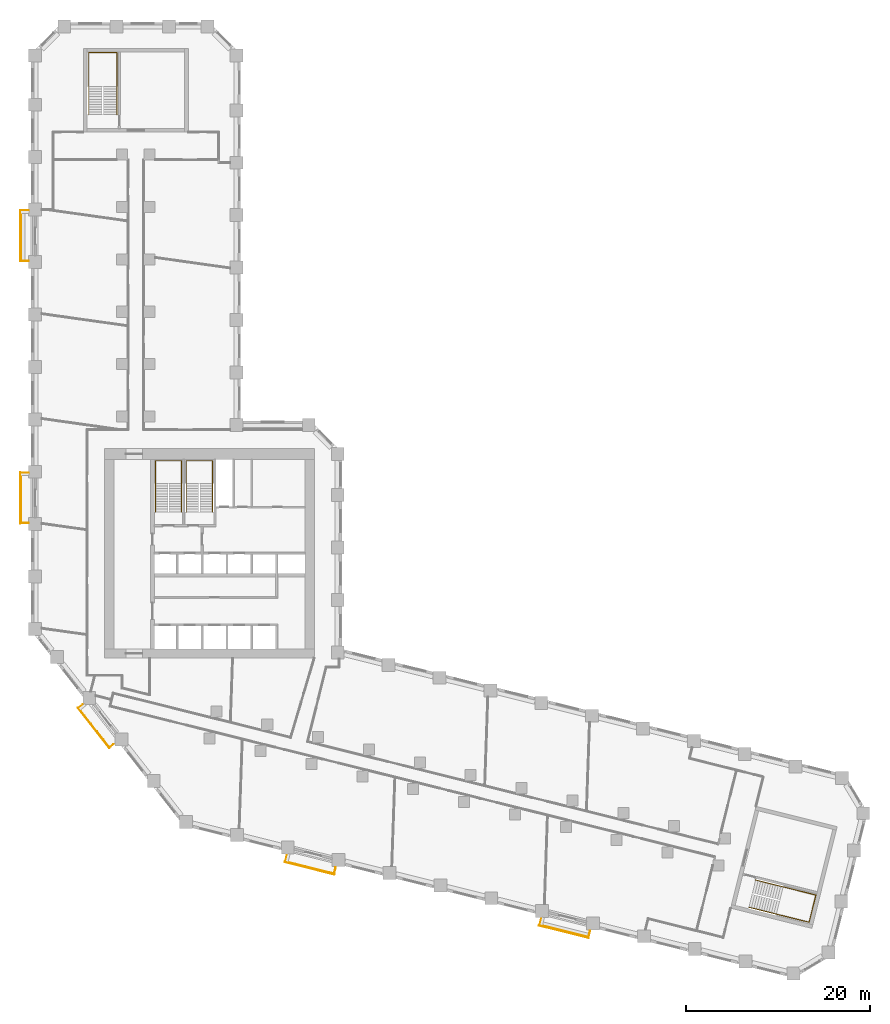
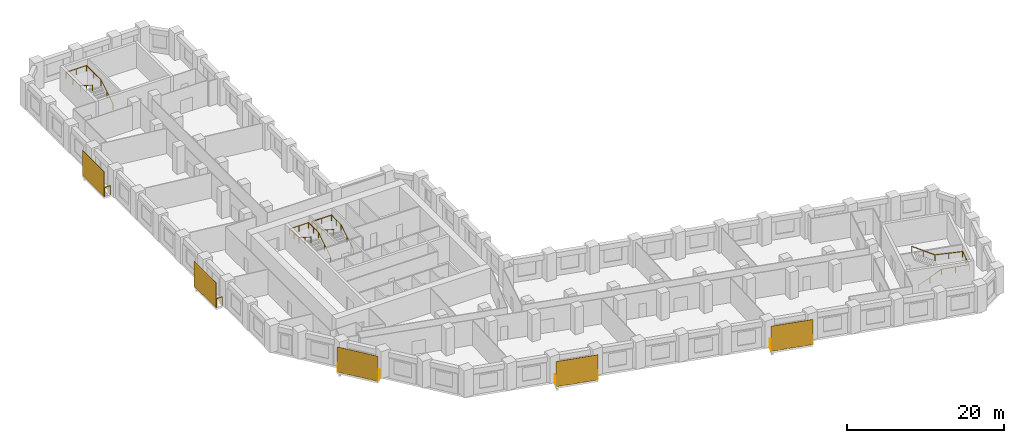
# One storey, part 11 of 11: 9 railings, 5 shading devices.
"""IFC4 building model written with IfcOpenShell, lengths in metres."""

from ifc_helpers import new_model, si_unit, direction, frame, origin, origin_2d, place, context, subcontext, project, spatial, rectangle, circle, extrude, material, layer, layer_set, type_object, element, save


model = new_model("IFC4")

# Units and contexts
model_context = context("Model", 3, precision=1e-05, world=origin(), true_north=direction((0.0, 1.0)))
body_context = subcontext(model_context, "Body", "Model", "MODEL_VIEW")
ifc_project = project(units=[si_unit("LENGTHUNIT", "METRE"), si_unit("AREAUNIT", "SQUARE_METRE"), si_unit("VOLUMEUNIT", "CUBIC_METRE"), si_unit("PLANEANGLEUNIT", "RADIAN"), si_unit("MASSUNIT", "GRAM", prefix="KILO")], contexts=[model_context])

# Site, building, storey
site_placement = place(None, origin())
site = spatial("IfcSite", under=ifc_project, at=site_placement, CompositionType="ELEMENT")
building_placement = place(site_placement, origin())
building = spatial("IfcBuilding", under=site, at=building_placement, Name="Meshkara Civic Tower", CompositionType="ELEMENT")
storey_placement = place(building_placement, frame((0.0, 0.0, 79.199951171875)))
storey = spatial("IfcBuildingStorey", under=building, at=storey_placement, Name="L17", CompositionType="ELEMENT", Elevation=79.199951171875)

# Railings
ifc_material_1 = material(Name="Steel S355", Category="steel")
railing_type_1 = type_object("IfcRailingType", Name="BALUSTRADE GUARD 1400", PredefinedType="BALUSTRADE", material=ifc_material_1)
for number, where, name in (
    (1, (-0.25, 62.735107421875, 0.0), "Balcony guard"),
    (2, (-0.25, 34.235107421875, 0.0), "Balcony guard"),
):
    element("IfcRailing", number, at=place(storey_placement, frame(where)), inside=storey, type_object=railing_type_1, Name=name, PredefinedType="BALUSTRADE", context=body_context, shape_type="SweptSolid", body=[
        extrude(circle(Radius=0.02392578125, at=origin_2d()), frame((0.0, 0.0, 1.3759765625), z_axis=(-1.0, 0.0, 0.0), x_axis=(0.0, -1.0, 0.0)), (0.0, 0.0, 1.0), 0.860107421875),
        extrude(circle(Radius=0.02392578125, at=origin_2d()), frame((-0.860107421875, 0.0, 1.3759765625), z_axis=(0.0, -1.0, 0.0), x_axis=(1.0, 0.0, 0.0)), (0.0, 0.0, 1.0), 5.460205078125),
        extrude(circle(Radius=0.02392578125, at=origin_2d()), frame((-0.860107421875, -5.460205078125, 1.3759765625), z_axis=(1.0, 0.0, 0.0), x_axis=(0.0, 1.0, 0.0)), (0.0, 0.0, 1.0), 0.860107421875),
        extrude(circle(Radius=0.02099609375, at=origin_2d()), origin(), (0.0, 0.0, 1.0), 1.351806640625),
        extrude(circle(Radius=0.02099609375, at=origin_2d()), frame((-0.860107421875, 0.0, 0.0)), (0.0, 0.0, 1.0), 1.351806640625),
        extrude(circle(Radius=0.02099609375, at=origin_2d()), frame((-0.860107421875, -1.092041015625, 0.0)), (0.0, 0.0, 1.0), 1.351806640625),
        extrude(circle(Radius=0.02099609375, at=origin_2d()), frame((-0.860107421875, -2.18408203125, 0.0)), (0.0, 0.0, 1.0), 1.351806640625),
        extrude(circle(Radius=0.02099609375, at=origin_2d()), frame((-0.860107421875, -3.276123046875, 0.0)), (0.0, 0.0, 1.0), 1.351806640625),
        extrude(circle(Radius=0.02099609375, at=origin_2d()), frame((-0.860107421875, -4.3681640625, 0.0)), (0.0, 0.0, 1.0), 1.351806640625),
        extrude(circle(Radius=0.02099609375, at=origin_2d()), frame((-0.860107421875, -5.460205078125, 0.0)), (0.0, 0.0, 1.0), 1.351806640625),
        extrude(circle(Radius=0.02099609375, at=origin_2d()), frame((0.0, -5.460205078125, 0.0)), (0.0, 0.0, 1.0), 1.351806640625),
    ])
railing_1_placement = place(storey_placement, frame((5.623046875, 9.0380859375, 0.0)))
element("IfcRailing", 3, at=railing_1_placement, inside=storey, type_object=railing_type_1, Name="Balcony guard", PredefinedType="BALUSTRADE", context=body_context, shape_type="SweptSolid", body=[
    extrude(circle(Radius=0.02392578125, at=origin_2d()), frame((0.0, 0.0, 1.3759765625), z_axis=(-0.787460425492, -0.616365215018, 0.0), x_axis=(0.616365215018, -0.787460425492, 0.0)), (0.0, 0.0, 1.0), 0.577880859375),
    extrude(circle(Radius=0.02392578125, at=origin_2d()), frame((-0.455078125, -0.356201171875, 1.3759765625), z_axis=(0.615684818606, -0.787992515281, 0.0), x_axis=(0.787992515281, 0.615684818606, 0.0)), (0.0, 0.0, 1.0), 5.460693359375),
    extrude(circle(Radius=0.02392578125, at=origin_2d()), frame((2.906982421875, -4.6591796875, 1.3759765625), z_axis=(0.787460425492, 0.616365215018, 0.0), x_axis=(-0.616365215018, 0.787460425492, 0.0)), (0.0, 0.0, 1.0), 0.577880859375),
    extrude(circle(Radius=0.02099609375, at=origin_2d()), origin(), (0.0, 0.0, 1.0), 1.351806640625),
    extrude(circle(Radius=0.02099609375, at=origin_2d()), frame((-0.455078125, -0.356201171875, 0.0)), (0.0, 0.0, 1.0), 1.351806640625),
    extrude(circle(Radius=0.02099609375, at=origin_2d()), frame((0.21728515625, -1.216796875, 0.0)), (0.0, 0.0, 1.0), 1.351806640625),
    extrude(circle(Radius=0.02099609375, at=origin_2d()), frame((0.8896484375, -2.077392578125, 0.0)), (0.0, 0.0, 1.0), 1.351806640625),
    extrude(circle(Radius=0.02099609375, at=origin_2d()), frame((1.562255859375, -2.93798828125, 0.0)), (0.0, 0.0, 1.0), 1.351806640625),
    extrude(circle(Radius=0.02099609375, at=origin_2d()), frame((2.234619140625, -3.798583984375, 0.0)), (0.0, 0.0, 1.0), 1.351806640625),
    extrude(circle(Radius=0.02099609375, at=origin_2d()), frame((2.906982421875, -4.6591796875, 0.0)), (0.0, 0.0, 1.0), 1.351806640625),
    extrude(circle(Radius=0.02099609375, at=origin_2d()), frame((3.362060546875, -4.302978515625, 0.0)), (0.0, 0.0, 1.0), 1.351806640625),
])
railing_2_placement = place(storey_placement, frame((27.822998046875, -7.347900390625, 0.0)))
element("IfcRailing", 4, at=railing_2_placement, inside=storey, type_object=railing_type_1, Name="Balcony guard", PredefinedType="BALUSTRADE", context=body_context, shape_type="SweptSolid", body=[
    extrude(circle(Radius=0.02392578125, at=origin_2d()), frame((0.0, 0.0, 1.3759765625), z_axis=(-0.241970279911, -0.970283661431, 0.0), x_axis=(0.970283661431, -0.241970279911, 0.0)), (0.0, 0.0, 1.0), 0.71142578125),
    extrude(circle(Radius=0.02392578125, at=origin_2d()), frame((-0.172119140625, -0.690185546875, 1.3759765625), z_axis=(0.970302726319, -0.241893818229, 0.0), x_axis=(0.241893818229, 0.970302726319, 0.0)), (0.0, 0.0, 1.0), 5.460205078125),
    extrude(circle(Radius=0.02392578125, at=origin_2d()), frame((5.1259765625, -2.010986328125, 1.3759765625), z_axis=(0.242050887106, 0.970263555974, 0.0), x_axis=(-0.970263555974, 0.242050887106, 0.0)), (0.0, 0.0, 1.0), 0.711181640625),
    extrude(circle(Radius=0.02099609375, at=origin_2d()), origin(), (0.0, 0.0, 1.0), 1.351806640625),
    extrude(circle(Radius=0.02099609375, at=origin_2d()), frame((-0.172119140625, -0.690185546875, 0.0)), (0.0, 0.0, 1.0), 1.351806640625),
    extrude(circle(Radius=0.02099609375, at=origin_2d()), frame((0.887451171875, -0.954345703125, 0.0)), (0.0, 0.0, 1.0), 1.351806640625),
    extrude(circle(Radius=0.02099609375, at=origin_2d()), frame((1.947021484375, -1.218505859375, 0.0)), (0.0, 0.0, 1.0), 1.351806640625),
    extrude(circle(Radius=0.02099609375, at=origin_2d()), frame((3.0068359375, -1.482666015625, 0.0)), (0.0, 0.0, 1.0), 1.351806640625),
    extrude(circle(Radius=0.02099609375, at=origin_2d()), frame((4.06640625, -1.746826171875, 0.0)), (0.0, 0.0, 1.0), 1.351806640625),
    extrude(circle(Radius=0.02099609375, at=origin_2d()), frame((5.1259765625, -2.010986328125, 0.0)), (0.0, 0.0, 1.0), 1.351806640625),
    extrude(circle(Radius=0.02099609375, at=origin_2d()), frame((5.298095703125, -1.321044921875, 0.0)), (0.0, 0.0, 1.0), 1.351806640625),
])
railing_3_placement = place(storey_placement, frame((55.47705078125, -14.242919921875, 0.0)))
element("IfcRailing", 5, at=railing_3_placement, inside=storey, type_object=railing_type_1, Name="Balcony guard", PredefinedType="BALUSTRADE", context=body_context, shape_type="SweptSolid", body=[
    extrude(circle(Radius=0.02392578125, at=origin_2d()), frame((0.0, 0.0, 1.3759765625), z_axis=(-0.241970279911, -0.970283661431, 0.0), x_axis=(0.970283661431, -0.241970279911, 0.0)), (0.0, 0.0, 1.0), 0.71142578125),
    extrude(circle(Radius=0.02392578125, at=origin_2d()), frame((-0.172119140625, -0.690185546875, 1.3759765625), z_axis=(0.970302726319, -0.241893818229, 0.0), x_axis=(0.241893818229, 0.970302726319, 0.0)), (0.0, 0.0, 1.0), 5.460205078125),
    extrude(circle(Radius=0.02392578125, at=origin_2d()), frame((5.1259765625, -2.010986328125, 1.3759765625), z_axis=(0.24172762774, 0.970344142038, 0.0), x_axis=(-0.970344142038, 0.24172762774, 0.0)), (0.0, 0.0, 1.0), 0.7109375),
    extrude(circle(Radius=0.02099609375, at=origin_2d()), origin(), (0.0, 0.0, 1.0), 1.351806640625),
    extrude(circle(Radius=0.02099609375, at=origin_2d()), frame((-0.172119140625, -0.690185546875, 0.0)), (0.0, 0.0, 1.0), 1.351806640625),
    extrude(circle(Radius=0.02099609375, at=origin_2d()), frame((0.887451171875, -0.954345703125, 0.0)), (0.0, 0.0, 1.0), 1.351806640625),
    extrude(circle(Radius=0.02099609375, at=origin_2d()), frame((1.947021484375, -1.218505859375, 0.0)), (0.0, 0.0, 1.0), 1.351806640625),
    extrude(circle(Radius=0.02099609375, at=origin_2d()), frame((3.0068359375, -1.482666015625, 0.0)), (0.0, 0.0, 1.0), 1.351806640625),
    extrude(circle(Radius=0.02099609375, at=origin_2d()), frame((4.06640625, -1.746826171875, 0.0)), (0.0, 0.0, 1.0), 1.351806640625),
    extrude(circle(Radius=0.02099609375, at=origin_2d()), frame((5.1259765625, -2.010986328125, 0.0)), (0.0, 0.0, 1.0), 1.351806640625),
    extrude(circle(Radius=0.02099609375, at=origin_2d()), frame((5.2978515625, -1.321044921875, 0.0)), (0.0, 0.0, 1.0), 1.351806640625),
])

# Shading devices
ifc_material_2 = material(Name="Perforated bronze anodised aluminium sheet", Category="aluminium")
ifc_layer = layer(ifc_material_2, 0.0400390625)
ifc_layer_set = layer_set([ifc_layer], Name="PERFORATED BRONZE SCREEN")
shading_device_type = type_object("IfcShadingDeviceType", Name="PERFORATED BRONZE SCREEN", PredefinedType="USERDEFINED", material=ifc_layer_set)
for number, where, z_axis, x_axis, name in (
    (6, (-1.179931640625, 60.0048828125, 0.0), (0.0, 0.0, 1.0), (0.0, -1.0, 0.0), "Balcony screen"),
    (7, (-1.179931640625, 31.5048828125, 0.0), (0.0, 0.0, 1.0), (0.0, -1.0, 0.0), "Balcony screen"),
):
    element("IfcShadingDevice", number, at=place(storey_placement, frame(where, z_axis=z_axis, x_axis=x_axis)), inside=storey, type_object=shading_device_type, Name=name, ObjectType="SCREEN", PredefinedType="USERDEFINED", context=body_context, shape_type="SweptSolid", body=[
        extrude(rectangle(XDim=5.580078125, YDim=0.0400390625, at=origin_2d()), origin(), (0.0, 0.0, 1.0), 3.89990234375),
    ])
shading_device_placement = place(storey_placement, frame((6.7939453125, 6.488037109375, 0.0), z_axis=(0.0, 0.0, 1.0), x_axis=(0.615661475326, -0.788010753607, 0.0)))
element("IfcShadingDevice", 8, at=shading_device_placement, inside=storey, type_object=shading_device_type, Name="Balcony screen", ObjectType="SCREEN", PredefinedType="USERDEFINED", context=body_context, shape_type="SweptSolid", body=[
    extrude(rectangle(XDim=5.5810546875, YDim=0.0400390625, at=origin_2d()), origin(), (0.0, 0.0, 1.0), 3.89990234375),
])
for number, where, z_axis, x_axis, name in (
    (9, (30.282958984375, -8.76708984375, 0.0), (0.0, 0.0, 1.0), (0.970295726276, -0.2419218956, 0.0), "Balcony screen"),
    (10, (57.93701171875, -15.660888671875, 0.0), (0.0, 0.0, 1.0), (0.970295726276, -0.2419218956, 0.0), "Balcony screen"),
):
    element("IfcShadingDevice", number, at=place(storey_placement, frame(where, z_axis=z_axis, x_axis=x_axis)), inside=storey, type_object=shading_device_type, Name=name, ObjectType="SCREEN", PredefinedType="USERDEFINED", context=body_context, shape_type="SweptSolid", body=[
        extrude(rectangle(XDim=5.580078125, YDim=0.0400390625, at=origin_2d()), origin(), (0.0, 0.0, 1.0), 3.89990234375),
    ])

# Railings
ifc_material_3 = material(Name="Steel handrail", Category="steel")
railing_type_2 = type_object("IfcRailingType", Name="Stair handrail 900", PredefinedType="HANDRAIL", material=ifc_material_3)
railing_4_placement = place(storey_placement, frame((16.375, 30.0, 0.175048828125)))
element("IfcRailing", 11, at=railing_4_placement, inside=storey, type_object=railing_type_2, Name="L17 ST1 stair handrail 1", PredefinedType="HANDRAIL", context=body_context, shape_type="SweptSolid", body=[
    extrude(circle(Radius=0.02392578125, at=origin_2d()), frame((0.0, 0.0, 0.8759765625), z_axis=(0.0, 0.847998304005, 0.529998940003), x_axis=(-1.0, 0.0, 0.0)), (0.0, 0.0, 1.0), 3.632080078125),
    extrude(circle(Radius=0.02392578125, at=origin_2d()), frame((0.0, 3.080078125, 2.80078125), z_axis=(0.0, 1.0, 0.0), x_axis=(-1.0, 0.0, 0.0)), (0.0, 0.0, 1.0), 2.469970703125),
    extrude(circle(Radius=0.02392578125, at=origin_2d()), frame((0.0, 5.550048828125, 2.80078125), z_axis=(-1.0, 0.0, 0.0), x_axis=(0.0, -1.0, 0.0)), (0.0, 0.0, 1.0), 2.85009765625),
    extrude(circle(Radius=0.02392578125, at=origin_2d()), frame((-2.85009765625, 5.550048828125, 2.80078125), z_axis=(0.0, -0.997498084828, 0.070693498747), x_axis=(1.0, 0.0, 0.0)), (0.0, 0.0, 1.0), 2.47607421875),
    extrude(circle(Radius=0.02392578125, at=origin_2d()), frame((-2.85009765625, 3.080078125, 2.97607421875), z_axis=(0.0, -0.848028513186, 0.529950602248), x_axis=(1.0, 0.0, 0.0)), (0.0, 0.0, 1.0), 3.632080078125),
    extrude(circle(Radius=0.02099609375, at=origin_2d()), origin(), (0.0, 0.0, 1.0), 0.851806640625),
    extrude(circle(Radius=0.02099609375, at=origin_2d()), frame((0.0, 1.5400390625, 0.96240234375)), (0.0, 0.0, 1.0), 0.851806640625),
    extrude(circle(Radius=0.02099609375, at=origin_2d()), frame((0.0, 3.080078125, 1.925048828125)), (0.0, 0.0, 1.0), 0.851806640625),
    extrude(circle(Radius=0.02099609375, at=origin_2d()), frame((0.0, 4.31494140625, 1.925048828125)), (0.0, 0.0, 1.0), 0.851806640625),
    extrude(circle(Radius=0.02099609375, at=origin_2d()), frame((0.0, 5.550048828125, 1.925048828125)), (0.0, 0.0, 1.0), 0.851806640625),
    extrude(circle(Radius=0.02099609375, at=origin_2d()), frame((-1.425048828125, 5.550048828125, 1.925048828125)), (0.0, 0.0, 1.0), 0.851806640625),
    extrude(circle(Radius=0.02099609375, at=origin_2d()), frame((-2.85009765625, 5.550048828125, 1.925048828125)), (0.0, 0.0, 1.0), 0.851806640625),
    extrude(circle(Radius=0.02099609375, at=origin_2d()), frame((-2.85009765625, 4.31494140625, 2.0126953125)), (0.0, 0.0, 1.0), 0.851806640625),
    extrude(circle(Radius=0.02099609375, at=origin_2d()), frame((-2.85009765625, 3.080078125, 2.10009765625)), (0.0, 0.0, 1.0), 0.851806640625),
    extrude(circle(Radius=0.02099609375, at=origin_2d()), frame((-2.85009765625, 1.5400390625, 3.0625)), (0.0, 0.0, 1.0), 0.851806640625),
    extrude(circle(Radius=0.02099609375, at=origin_2d()), frame((-2.85009765625, 0.0, 4.02490234375)), (0.0, 0.0, 1.0), 0.851806640625),
])
railing_5_placement = place(storey_placement, frame((19.72509765625, 30.0, 0.175048828125)))
element("IfcRailing", 12, at=railing_5_placement, inside=storey, type_object=railing_type_2, Name="L17 ST2 stair handrail 1", PredefinedType="HANDRAIL", context=body_context, shape_type="SweptSolid", body=[
    extrude(circle(Radius=0.02392578125, at=origin_2d()), frame((0.0, 0.0, 0.8759765625), z_axis=(0.0, 0.847998304005, 0.529998940003), x_axis=(-1.0, 0.0, 0.0)), (0.0, 0.0, 1.0), 3.632080078125),
    extrude(circle(Radius=0.02392578125, at=origin_2d()), frame((0.0, 3.080078125, 2.80078125), z_axis=(0.0, 1.0, 0.0), x_axis=(-1.0, 0.0, 0.0)), (0.0, 0.0, 1.0), 2.469970703125),
    extrude(circle(Radius=0.02392578125, at=origin_2d()), frame((0.0, 5.550048828125, 2.80078125), z_axis=(-1.0, 0.0, 0.0), x_axis=(0.0, -1.0, 0.0)), (0.0, 0.0, 1.0), 2.85009765625),
    extrude(circle(Radius=0.02392578125, at=origin_2d()), frame((-2.85009765625, 5.550048828125, 2.80078125), z_axis=(0.0, -0.997498084828, 0.070693498747), x_axis=(1.0, 0.0, 0.0)), (0.0, 0.0, 1.0), 2.47607421875),
    extrude(circle(Radius=0.02392578125, at=origin_2d()), frame((-2.85009765625, 3.080078125, 2.97607421875), z_axis=(0.0, -0.848028513186, 0.529950602248), x_axis=(1.0, 0.0, 0.0)), (0.0, 0.0, 1.0), 3.632080078125),
    extrude(circle(Radius=0.02099609375, at=origin_2d()), origin(), (0.0, 0.0, 1.0), 0.851806640625),
    extrude(circle(Radius=0.02099609375, at=origin_2d()), frame((0.0, 1.5400390625, 0.96240234375)), (0.0, 0.0, 1.0), 0.851806640625),
    extrude(circle(Radius=0.02099609375, at=origin_2d()), frame((0.0, 3.080078125, 1.925048828125)), (0.0, 0.0, 1.0), 0.851806640625),
    extrude(circle(Radius=0.02099609375, at=origin_2d()), frame((0.0, 4.31494140625, 1.925048828125)), (0.0, 0.0, 1.0), 0.851806640625),
    extrude(circle(Radius=0.02099609375, at=origin_2d()), frame((0.0, 5.550048828125, 1.925048828125)), (0.0, 0.0, 1.0), 0.851806640625),
    extrude(circle(Radius=0.02099609375, at=origin_2d()), frame((-1.425048828125, 5.550048828125, 1.925048828125)), (0.0, 0.0, 1.0), 0.851806640625),
    extrude(circle(Radius=0.02099609375, at=origin_2d()), frame((-2.85009765625, 5.550048828125, 1.925048828125)), (0.0, 0.0, 1.0), 0.851806640625),
    extrude(circle(Radius=0.02099609375, at=origin_2d()), frame((-2.85009765625, 4.31494140625, 2.0126953125)), (0.0, 0.0, 1.0), 0.851806640625),
    extrude(circle(Radius=0.02099609375, at=origin_2d()), frame((-2.85009765625, 3.080078125, 2.10009765625)), (0.0, 0.0, 1.0), 0.851806640625),
    extrude(circle(Radius=0.02099609375, at=origin_2d()), frame((-2.85009765625, 1.5400390625, 3.0625)), (0.0, 0.0, 1.0), 0.851806640625),
    extrude(circle(Radius=0.02099609375, at=origin_2d()), frame((-2.85009765625, 0.0, 4.02490234375)), (0.0, 0.0, 1.0), 0.851806640625),
])
railing_6_placement = place(storey_placement, frame((9.324951171875, 73.169921875, 0.175048828125)))
element("IfcRailing", 13, at=railing_6_placement, inside=storey, type_object=railing_type_2, Name="L17 ESA1 stair handrail 1", PredefinedType="HANDRAIL", context=body_context, shape_type="SweptSolid", body=[
    extrude(circle(Radius=0.02392578125, at=origin_2d()), frame((0.0, 0.0, 0.8759765625), z_axis=(0.0, 0.847998304005, 0.529998940003), x_axis=(-1.0, 0.0, 0.0)), (0.0, 0.0, 1.0), 3.632080078125),
    extrude(circle(Radius=0.02392578125, at=origin_2d()), frame((0.0, 3.080078125, 2.80078125), z_axis=(0.0, 1.0, 0.0), x_axis=(-1.0, 0.0, 0.0)), (0.0, 0.0, 1.0), 3.669921875),
    extrude(circle(Radius=0.02392578125, at=origin_2d()), frame((0.0, 6.75, 2.80078125), z_axis=(-1.0, 0.0, 0.0), x_axis=(0.0, -1.0, 0.0)), (0.0, 0.0, 1.0), 3.050048828125),
    extrude(circle(Radius=0.02392578125, at=origin_2d()), frame((-3.050048828125, 6.75, 2.80078125), z_axis=(0.0, -0.998864376167, 0.047644076484), x_axis=(1.0, 0.0, 0.0)), (0.0, 0.0, 1.0), 3.674072265625),
    extrude(circle(Radius=0.02392578125, at=origin_2d()), frame((-3.050048828125, 3.080078125, 2.97607421875), z_axis=(0.0, -0.848028513186, 0.529950602248), x_axis=(1.0, 0.0, 0.0)), (0.0, 0.0, 1.0), 3.632080078125),
    extrude(circle(Radius=0.02099609375, at=origin_2d()), origin(), (0.0, 0.0, 1.0), 0.851806640625),
    extrude(circle(Radius=0.02099609375, at=origin_2d()), frame((0.0, 1.5400390625, 0.96240234375)), (0.0, 0.0, 1.0), 0.851806640625),
    extrude(circle(Radius=0.02099609375, at=origin_2d()), frame((0.0, 3.080078125, 1.925048828125)), (0.0, 0.0, 1.0), 0.851806640625),
    extrude(circle(Radius=0.02099609375, at=origin_2d()), frame((0.0, 4.9150390625, 1.925048828125)), (0.0, 0.0, 1.0), 0.851806640625),
    extrude(circle(Radius=0.02099609375, at=origin_2d()), frame((0.0, 6.75, 1.925048828125)), (0.0, 0.0, 1.0), 0.851806640625),
    extrude(circle(Radius=0.02099609375, at=origin_2d()), frame((-1.52490234375, 6.75, 1.925048828125)), (0.0, 0.0, 1.0), 0.851806640625),
    extrude(circle(Radius=0.02099609375, at=origin_2d()), frame((-3.050048828125, 6.75, 1.925048828125)), (0.0, 0.0, 1.0), 0.851806640625),
    extrude(circle(Radius=0.02099609375, at=origin_2d()), frame((-3.050048828125, 4.9150390625, 2.0126953125)), (0.0, 0.0, 1.0), 0.851806640625),
    extrude(circle(Radius=0.02099609375, at=origin_2d()), frame((-3.050048828125, 3.080078125, 2.10009765625)), (0.0, 0.0, 1.0), 0.851806640625),
    extrude(circle(Radius=0.02099609375, at=origin_2d()), frame((-3.050048828125, 1.5400390625, 3.0625)), (0.0, 0.0, 1.0), 0.851806640625),
    extrude(circle(Radius=0.02099609375, at=origin_2d()), frame((-3.050048828125, 0.0, 4.02490234375)), (0.0, 0.0, 1.0), 0.851806640625),
])
railing_7_placement = place(storey_placement, frame((78.045166015625, -12.99169921875, 0.175048828125)))
element("IfcRailing", 14, at=railing_7_placement, inside=storey, type_object=railing_type_2, Name="L17 ESB1 stair handrail 1", PredefinedType="HANDRAIL", context=body_context, shape_type="SweptSolid", body=[
    extrude(circle(Radius=0.02392578125, at=origin_2d()), frame((0.0, 0.0, 0.8759765625), z_axis=(0.822781968105, -0.205275396666, 0.529992306062), x_axis=(0.242069343812, 0.970258951408, 0.0)), (0.0, 0.0, 1.0), 3.63232421875),
    extrude(circle(Radius=0.02392578125, at=origin_2d()), frame((2.988525390625, -0.74560546875, 2.80078125), z_axis=(0.970255876456, -0.242081668456, 0.0), x_axis=(0.242081668456, 0.970255876456, 0.0)), (0.0, 0.0, 1.0), 3.669921875),
    extrude(circle(Radius=0.02392578125, at=origin_2d()), frame((6.54931640625, -1.634033203125, 2.80078125), z_axis=(0.242064726708, 0.970260103315, 0.0), x_axis=(-0.970260103315, 0.242064726708, 0.0)), (0.0, 0.0, 1.0), 3.050048828125),
    extrude(circle(Radius=0.02392578125, at=origin_2d()), frame((7.28759765625, 1.3251953125, 2.80078125), z_axis=(-0.969154047904, 0.241806759021, 0.047643706023), x_axis=(-0.242081668456, -0.970255876456, 0.0)), (0.0, 0.0, 1.0), 3.674072265625),
    extrude(circle(Radius=0.02392578125, at=origin_2d()), frame((3.726806640625, 2.213623046875, 2.97607421875), z_axis=(-0.822811278243, 0.205282709236, 0.529943968439), x_axis=(-0.242069343812, -0.970258951408, 0.0)), (0.0, 0.0, 1.0), 3.632080078125),
    extrude(circle(Radius=0.02099609375, at=origin_2d()), origin(), (0.0, 0.0, 1.0), 0.851806640625),
    extrude(circle(Radius=0.02099609375, at=origin_2d()), frame((1.494140625, -0.372802734375, 0.96240234375)), (0.0, 0.0, 1.0), 0.851806640625),
    extrude(circle(Radius=0.02099609375, at=origin_2d()), frame((2.988525390625, -0.74560546875, 1.925048828125)), (0.0, 0.0, 1.0), 0.851806640625),
    extrude(circle(Radius=0.02099609375, at=origin_2d()), frame((4.76904296875, -1.18994140625, 1.925048828125)), (0.0, 0.0, 1.0), 0.851806640625),
    extrude(circle(Radius=0.02099609375, at=origin_2d()), frame((6.54931640625, -1.634033203125, 1.925048828125)), (0.0, 0.0, 1.0), 0.851806640625),
    extrude(circle(Radius=0.02099609375, at=origin_2d()), frame((6.91845703125, -0.154296875, 1.925048828125)), (0.0, 0.0, 1.0), 0.851806640625),
    extrude(circle(Radius=0.02099609375, at=origin_2d()), frame((7.28759765625, 1.3251953125, 1.925048828125)), (0.0, 0.0, 1.0), 0.851806640625),
    extrude(circle(Radius=0.02099609375, at=origin_2d()), frame((5.50732421875, 1.76953125, 2.0126953125)), (0.0, 0.0, 1.0), 0.851806640625),
    extrude(circle(Radius=0.02099609375, at=origin_2d()), frame((3.726806640625, 2.213623046875, 2.10009765625)), (0.0, 0.0, 1.0), 0.851806640625),
    extrude(circle(Radius=0.02099609375, at=origin_2d()), frame((2.232421875, 2.58642578125, 3.0625)), (0.0, 0.0, 1.0), 0.851806640625),
    extrude(circle(Radius=0.02099609375, at=origin_2d()), frame((0.73828125, 2.959228515625, 4.02490234375)), (0.0, 0.0, 1.0), 0.851806640625),
])

save(model, "model.ifc")
